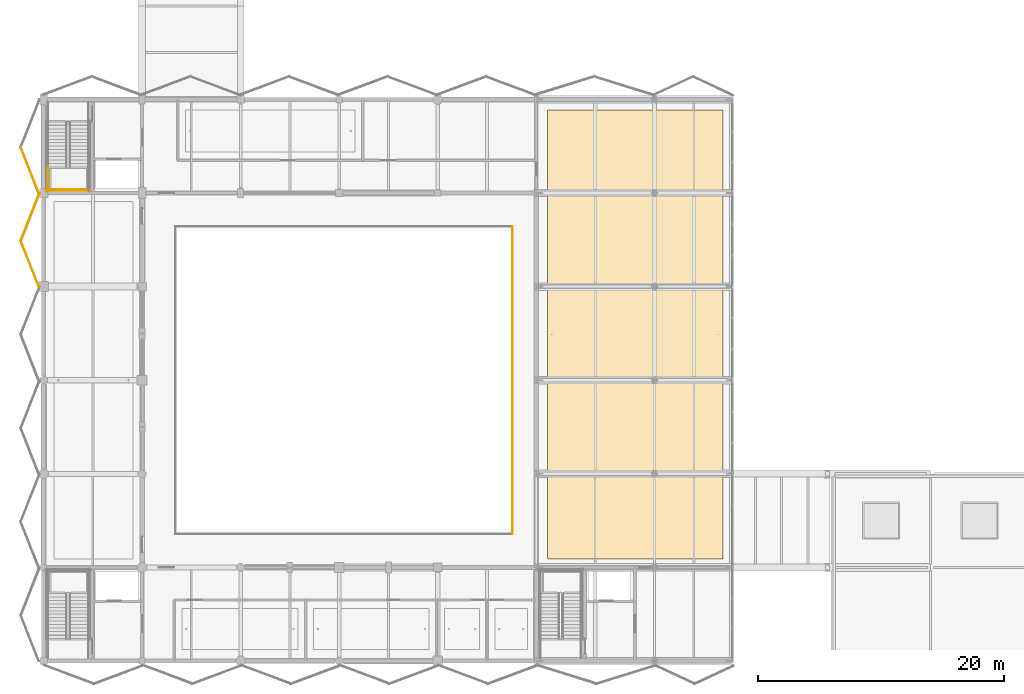
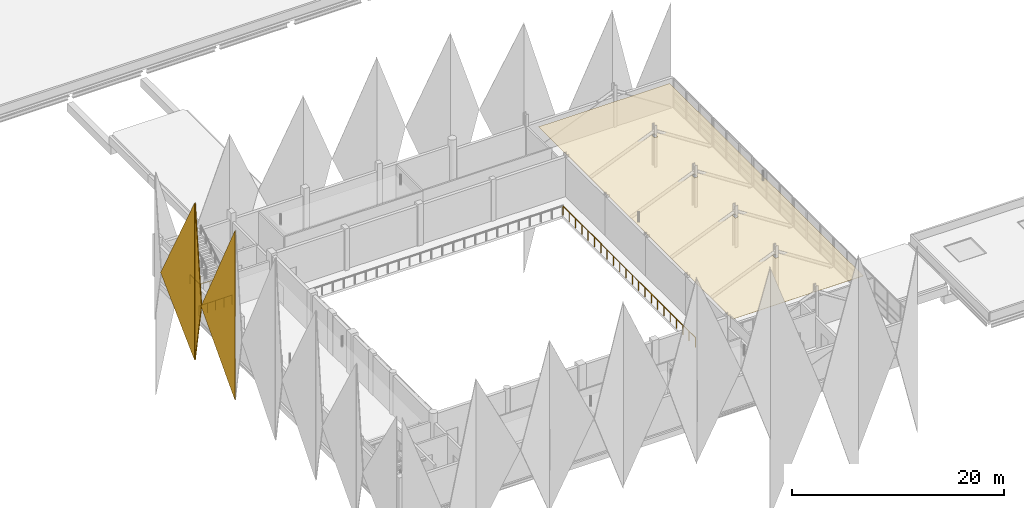
# One storey, part 100 of 107: 4 coverings, 4 railings.
"""IFC4 building model written with IfcOpenShell, lengths in metres."""

from ifc_helpers import new_model, si_unit, direction, frame, origin, origin_2d, place, context, subcontext, project, spatial, polyline, circle, outline, extrude, material, layer, layer_set, type_object, element, save


model = new_model("IFC4")

# Units and contexts
model_context = context("Model", 3, precision=1e-05, world=origin(), true_north=direction((0.0, 1.0)))
body_context = subcontext(model_context, "Body", "Model", "MODEL_VIEW")
ifc_project = project(units=[si_unit("LENGTHUNIT", "METRE"), si_unit("AREAUNIT", "SQUARE_METRE"), si_unit("VOLUMEUNIT", "CUBIC_METRE"), si_unit("PLANEANGLEUNIT", "RADIAN"), si_unit("MASSUNIT", "GRAM", prefix="KILO")], contexts=[model_context])

# Site, building, storey
site_placement = place(None, origin())
site = spatial("IfcSite", under=ifc_project, at=site_placement, CompositionType="ELEMENT")
building_placement = place(site_placement, origin())
building = spatial("IfcBuilding", under=site, at=building_placement, Name="Khelvaren Railside Concert Hall", CompositionType="ELEMENT")
storey_placement = place(building_placement, frame((0.0, 0.0, 15.0)))
storey = spatial("IfcBuildingStorey", under=building, at=storey_placement, Name="L03", CompositionType="ELEMENT", Elevation=15.0)

# Coverings
ifc_material_1 = material(Name="Precast architectural concrete C45/55", Category="concrete")
ifc_layer_1 = layer(ifc_material_1, 0.06005859375)
ifc_layer_set_1 = layer_set([ifc_layer_1], Name="Precast architectural concrete C45/55")
covering_type_1 = type_object("IfcCoveringType", Name="CLD31", PredefinedType="CLADDING", material=ifc_layer_set_1)
covering_1_placement = place(storey_placement, frame((-0.35498046875, 30.39990234375, 14.707763671875), z_axis=(0.930564616009, 0.366127703722, 0.0), x_axis=(0.0, 0.0, -1.0)))
element("IfcCovering", 1, at=covering_1_placement, inside=storey, type_object=covering_type_1, Name="Main Hall Cut-Crystal West Flank Facet 5S", PredefinedType="CLADDING", context=body_context, shape_type="SweptSolid", body=[
    extrude(outline(polyline([(0.0, 0.0), (19.5078125, 0.0), (10.480712890625, 4.083594801212786), (0.0, 0.0)])), origin(), (0.0, 0.0, -1.0), 0.06005859375),
])
ifc_material_2 = material(Name="Board-marked precast concrete C45/55", Category="concrete")
ifc_layer_2 = layer(ifc_material_2, 0.070068359375)
ifc_layer_set_2 = layer_set([ifc_layer_2], Name="Board-marked precast concrete C45/55")
covering_type_2 = type_object("IfcCoveringType", Name="CLD68", PredefinedType="CLADDING", material=ifc_layer_set_2)
covering_2_placement = place(storey_placement, frame((-0.35498046875, 38.0, 13.25390625), z_axis=(-0.930564616009, 0.366127703722, 0.0), x_axis=(0.0, 0.0, -1.0)))
element("IfcCovering", 2, at=covering_2_placement, inside=storey, type_object=covering_type_2, Name="Main Hall Cut-Crystal West Flank Facet 5N", PredefinedType="CLADDING", context=body_context, shape_type="SweptSolid", body=[
    extrude(outline(polyline([(0.0, 0.0), (18.053955078125, 0.0), (9.02685546875, 4.0835948012127865), (0.0, 0.0)])), origin(), (0.0, 0.0, -1.0), 0.070068359375),
])
covering_3_placement = place(storey_placement, frame((-0.35498046875, 38.0, 13.25390625), z_axis=(0.930564616009, 0.366127703722, 0.0), x_axis=(0.0, 0.0, -1.0)))
element("IfcCovering", 3, at=covering_3_placement, inside=storey, type_object=covering_type_2, Name="Main Hall Cut-Crystal West Flank Facet 6S", PredefinedType="CLADDING", context=body_context, shape_type="SweptSolid", body=[
    extrude(outline(polyline([(0.0, 0.0), (18.053955078125, 0.0), (9.75390625, 4.0835948012127865), (0.0, 0.0)])), origin(), (0.0, 0.0, -1.0), 0.070068359375),
])
ifc_material_3 = material(Name="Micro-perforated timber acoustic ceiling", Category="wood")
ifc_layer_3 = layer(ifc_material_3, 0.030029296875)
ifc_layer_set_3 = layer_set([ifc_layer_3], Name="Micro-perforated timber acoustic ceiling")
covering_type_3 = type_object("IfcCoveringType", Name="CLG77", PredefinedType="CEILING", material=ifc_layer_set_3)
covering_4_placement = place(storey_placement, frame((0.0, 0.0, 3.419921875)))
element("IfcCovering", 4, at=covering_4_placement, inside=storey, type_object=covering_type_3, Name="Suspended Acoustic Ceiling Reflector Canopy Technical Loft", PredefinedType="CEILING", context=body_context, shape_type="SweptSolid", body=[
    extrude(outline(polyline([(40.89990234375, 8.27001953125), (55.14990234375, 8.27001953125), (55.14990234375, 44.75), (40.89990234375, 44.75), (40.89990234375, 8.27001953125)]), holes=[polyline([(49.43505859375, 14.93505859375), (49.764892578125, 14.93505859375), (49.764892578125, 15.465087890625), (49.43505859375, 15.465087890625), (49.43505859375, 14.93505859375)]), polyline([(49.43505859375, 22.534912109375), (49.764892578125, 22.534912109375), (49.764892578125, 23.06494140625), (49.43505859375, 23.06494140625), (49.43505859375, 22.534912109375)]), polyline([(49.43505859375, 30.135009765625), (49.764892578125, 30.135009765625), (49.764892578125, 30.6650390625), (49.43505859375, 30.6650390625), (49.43505859375, 30.135009765625)]), polyline([(49.43505859375, 37.735107421875), (49.764892578125, 37.735107421875), (49.764892578125, 38.264892578125), (49.43505859375, 38.264892578125), (49.43505859375, 37.735107421875)])]), origin(), (0.0, 0.0, 1.0), 0.030029296875),
])

# Railings
ifc_material_4 = material(Name="Painted architectural steel", Category="steel")
railing_type_1 = type_object("IfcRailingType", Name="GRD86", PredefinedType="GUARDRAIL", material=ifc_material_4)
railing_1_placement = place(storey_placement, frame((0.35009765625, 40.1201171875, 2.39990234375)))
element("IfcRailing", 5, at=railing_1_placement, inside=storey, type_object=railing_type_1, Name="L03 ST-11 stair guard 3", PredefinedType="GUARDRAIL", context=body_context, shape_type="SweptSolid", body=[
    extrude(circle(Radius=0.02392578125, at=origin_2d()), frame((0.0, 0.0, 1.076171875), z_axis=(0.0, -1.0, 0.0), x_axis=(1.0, 0.0, 0.0)), (0.0, 0.0, 1.0), 1.880126953125),
    extrude(circle(Radius=0.02099609375, at=origin_2d()), origin(), (0.0, 0.0, 1.0), 1.052001953125),
    extrude(circle(Radius=0.02099609375, at=origin_2d()), frame((0.0, -0.93994140625, 0.0)), (0.0, 0.0, 1.0), 1.052001953125),
    extrude(circle(Radius=0.02099609375, at=origin_2d()), frame((0.0, -1.880126953125, 0.0)), (0.0, 0.0, 1.0), 1.052001953125),
])
railing_2_placement = place(storey_placement, frame((0.300048828125, 38.2900390625, 2.39990234375)))
element("IfcRailing", 6, at=railing_2_placement, inside=storey, type_object=railing_type_1, Name="L03 ST-11 stair guard 5", PredefinedType="GUARDRAIL", context=body_context, shape_type="SweptSolid", body=[
    extrude(circle(Radius=0.02392578125, at=origin_2d()), frame((0.0, 0.0, 1.076171875), z_axis=(1.0, 0.0, 0.0), x_axis=(0.0, 1.0, 0.0)), (0.0, 0.0, 1.0), 3.39990234375),
    extrude(circle(Radius=0.02099609375, at=origin_2d()), origin(), (0.0, 0.0, 1.0), 1.052001953125),
    extrude(circle(Radius=0.02099609375, at=origin_2d()), frame((1.13330078125, 0.0, 0.0)), (0.0, 0.0, 1.0), 1.052001953125),
    extrude(circle(Radius=0.02099609375, at=origin_2d()), frame((2.2666015625, 0.0, 0.0)), (0.0, 0.0, 1.0), 1.052001953125),
    extrude(circle(Radius=0.02099609375, at=origin_2d()), frame((3.39990234375, 0.0, 0.0)), (0.0, 0.0, 1.0), 1.052001953125),
])
railing_3_placement = place(storey_placement, frame((0.199951171875, 38.18994140625, 0.0)))
element("IfcRailing", 7, at=railing_3_placement, inside=storey, type_object=railing_type_1, Name="L03 ST-11 stair guard 12", PredefinedType="GUARDRAIL", context=body_context, shape_type="SweptSolid", body=[
    extrude(circle(Radius=0.02392578125, at=origin_2d()), frame((0.0, 0.0, 1.076171875), z_axis=(1.0, 0.0, 0.0), x_axis=(0.0, 1.0, 0.0)), (0.0, 0.0, 1.0), 3.60009765625),
    extrude(circle(Radius=0.02099609375, at=origin_2d()), origin(), (0.0, 0.0, 1.0), 1.052001953125),
    extrude(circle(Radius=0.02099609375, at=origin_2d()), frame((0.89990234375, 0.0, 0.0)), (0.0, 0.0, 1.0), 1.052001953125),
    extrude(circle(Radius=0.02099609375, at=origin_2d()), frame((1.800048828125, 0.0, 0.0)), (0.0, 0.0, 1.0), 1.052001953125),
    extrude(circle(Radius=0.02099609375, at=origin_2d()), frame((2.7001953125, 0.0, 0.0)), (0.0, 0.0, 1.0), 1.052001953125),
    extrude(circle(Radius=0.02099609375, at=origin_2d()), frame((3.60009765625, 0.0, 0.0)), (0.0, 0.0, 1.0), 1.052001953125),
])
ifc_material_5 = material(Name="Acoustic bronze and laminated glass guardrail", Category="glass")
railing_type_2 = type_object("IfcRailingType", Name="GRD91", PredefinedType="GUARDRAIL", material=ifc_material_5)
railing_4_placement = place(storey_placement, frame((38.080078125, 10.320068359375, 0.0)))
element("IfcRailing", 8, at=railing_4_placement, inside=storey, type_object=railing_type_2, Name="V1 L03 Acoustic Bowl Edge Guardrail E", PredefinedType="GUARDRAIL", context=body_context, shape_type="SweptSolid", body=[
    extrude(circle(Radius=0.02392578125, at=origin_2d()), frame((0.0, 0.0, 1.076171875), z_axis=(0.0, 1.0, 0.0), x_axis=(-1.0, 0.0, 0.0)), (0.0, 0.0, 1.0), 24.9599609375),
    extrude(circle(Radius=0.02099609375, at=origin_2d()), origin(), (0.0, 0.0, 1.0), 1.052001953125),
    extrude(circle(Radius=0.02099609375, at=origin_2d()), frame((0.0, 1.1884765625, 0.0)), (0.0, 0.0, 1.0), 1.052001953125),
    extrude(circle(Radius=0.02099609375, at=origin_2d()), frame((0.0, 2.377197265625, 0.0)), (0.0, 0.0, 1.0), 1.052001953125),
    extrude(circle(Radius=0.02099609375, at=origin_2d()), frame((0.0, 3.565673828125, 0.0)), (0.0, 0.0, 1.0), 1.052001953125),
    extrude(circle(Radius=0.02099609375, at=origin_2d()), frame((0.0, 4.75439453125, 0.0)), (0.0, 0.0, 1.0), 1.052001953125),
    extrude(circle(Radius=0.02099609375, at=origin_2d()), frame((0.0, 5.94287109375, 0.0)), (0.0, 0.0, 1.0), 1.052001953125),
    extrude(circle(Radius=0.02099609375, at=origin_2d()), frame((0.0, 7.13134765625, 0.0)), (0.0, 0.0, 1.0), 1.052001953125),
    extrude(circle(Radius=0.02099609375, at=origin_2d()), frame((0.0, 8.320068359375, 0.0)), (0.0, 0.0, 1.0), 1.052001953125),
    extrude(circle(Radius=0.02099609375, at=origin_2d()), frame((0.0, 9.508544921875, 0.0)), (0.0, 0.0, 1.0), 1.052001953125),
    extrude(circle(Radius=0.02099609375, at=origin_2d()), frame((0.0, 10.697021484375, 0.0)), (0.0, 0.0, 1.0), 1.052001953125),
    extrude(circle(Radius=0.02099609375, at=origin_2d()), frame((0.0, 11.8857421875, 0.0)), (0.0, 0.0, 1.0), 1.052001953125),
    extrude(circle(Radius=0.02099609375, at=origin_2d()), frame((0.0, 13.07421875, 0.0)), (0.0, 0.0, 1.0), 1.052001953125),
    extrude(circle(Radius=0.02099609375, at=origin_2d()), frame((0.0, 14.262939453125, 0.0)), (0.0, 0.0, 1.0), 1.052001953125),
    extrude(circle(Radius=0.02099609375, at=origin_2d()), frame((0.0, 15.451416015625, 0.0)), (0.0, 0.0, 1.0), 1.052001953125),
    extrude(circle(Radius=0.02099609375, at=origin_2d()), frame((0.0, 16.639892578125, 0.0)), (0.0, 0.0, 1.0), 1.052001953125),
    extrude(circle(Radius=0.02099609375, at=origin_2d()), frame((0.0, 17.82861328125, 0.0)), (0.0, 0.0, 1.0), 1.052001953125),
    extrude(circle(Radius=0.02099609375, at=origin_2d()), frame((0.0, 19.01708984375, 0.0)), (0.0, 0.0, 1.0), 1.052001953125),
    extrude(circle(Radius=0.02099609375, at=origin_2d()), frame((0.0, 20.20556640625, 0.0)), (0.0, 0.0, 1.0), 1.052001953125),
    extrude(circle(Radius=0.02099609375, at=origin_2d()), frame((0.0, 21.394287109375, 0.0)), (0.0, 0.0, 1.0), 1.052001953125),
    extrude(circle(Radius=0.02099609375, at=origin_2d()), frame((0.0, 22.582763671875, 0.0)), (0.0, 0.0, 1.0), 1.052001953125),
    extrude(circle(Radius=0.02099609375, at=origin_2d()), frame((0.0, 23.771484375, 0.0)), (0.0, 0.0, 1.0), 1.052001953125),
    extrude(circle(Radius=0.02099609375, at=origin_2d()), frame((0.0, 24.9599609375, 0.0)), (0.0, 0.0, 1.0), 1.052001953125),
])

save(model, "model.ifc")
